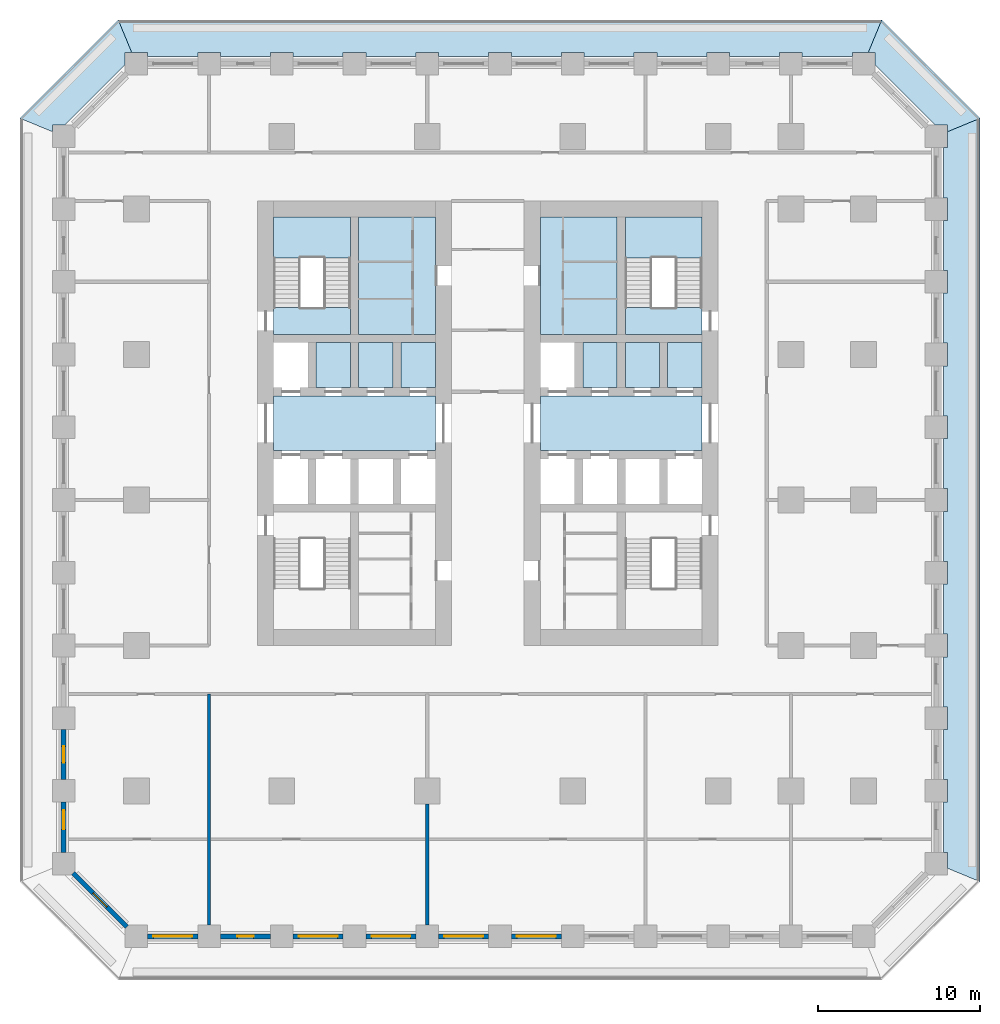
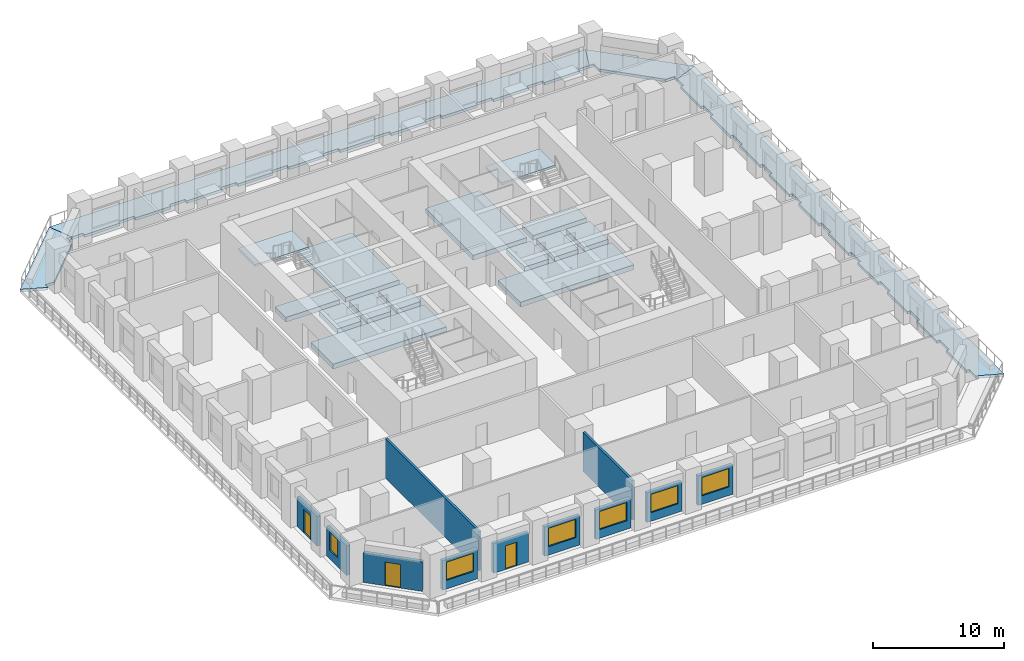
# One storey, part 2 of 11: 18 slabs, 11 walls, 6 windows, 3 doors, 9 openings, 2 elements without a shape of their own.
"""IFC4 building model written with IfcOpenShell, lengths in metres."""

import ifcopenshell
import ifcopenshell.guid

model = None  # the IFC model being written
_history = None  # IfcOwnerHistory: only IFC2X3 demands one
_inside = {}  # id of a spatial element -> (the spatial element, [elements in it])
_under = {}  # id of a project, library or spatial element -> (it, [spatial elements below it])
_declared = {}  # id of a project -> (the project, [libraries it declares])
_typed = {}  # id of a type object -> (the type object, [elements of that type])
_made_of = {}  # id of a material, layer set ... -> (it, [elements and type objects made of it])


def new_model(schema):
    """Start an empty IFC model of exactly this schema.

    Asked for "IFC4X3", IfcOpenShell would pick the latest addendum, in which some entities
    have other attributes; the version numbers below select the first issue.
    IFC2X3 requires an IfcOwnerHistory on every rooted entity: one is made here for all.
    """
    global model, _history
    if schema == "IFC4X3":
        model = ifcopenshell.file(schema_version=(4, 3, 0, 0))
    else:
        model = ifcopenshell.file(schema=schema)
    _inside.clear()
    _under.clear()
    _declared.clear()
    _typed.clear()
    _made_of.clear()
    _history = None
    if model.schema == "IFC2X3":
        org = make("IfcOrganization", Name="unknown")
        user = make(
            "IfcPersonAndOrganization",
            ThePerson=make("IfcPerson", FamilyName="unknown"),
            TheOrganization=org,
        )
        app = make(
            "IfcApplication",
            ApplicationDeveloper=org,
            Version="unknown",
            ApplicationFullName="unknown",
            ApplicationIdentifier="unknown",
        )
        _history = make(
            "IfcOwnerHistory",
            OwningUser=user,
            OwningApplication=app,
            ChangeAction="ADDED",
            CreationDate=0,
        )
    return model


def make(cls, **values):
    """One entity of the class cls with the attributes given. An attribute that is None is left unset."""
    return model.create_entity(
        cls, **{name: value for name, value in values.items() if value is not None}
    )


def rooted(cls, **values):
    """An entity with a GlobalId (a new one), such as an element, a storey or a relation."""
    return make(cls, GlobalId=ifcopenshell.guid.new(), OwnerHistory=_history, **values)


def si_unit(unit_type, name, prefix=None):
    """IfcSIUnit, for example si_unit("LENGTHUNIT", "METRE", prefix="MILLI")."""
    return make("IfcSIUnit", UnitType=unit_type, Prefix=prefix, Name=name)


def assignment(units):
    """IfcUnitAssignment: the units of a project."""
    return None if units is None else make("IfcUnitAssignment", Units=units)


def point(xyz):
    """IfcCartesianPoint."""
    return None if xyz is None else make("IfcCartesianPoint", Coordinates=xyz)


def direction(xyz):
    """IfcDirection."""
    return None if xyz is None else make("IfcDirection", DirectionRatios=xyz)


def frame(location, z_axis=None, x_axis=None):
    """IfcAxis2Placement3D, a coordinate frame: its origin and axes. An axis left out is left unset."""
    return make(
        "IfcAxis2Placement3D",
        Location=point(location),
        Axis=direction(z_axis),
        RefDirection=direction(x_axis),
    )


def frame_2d(location, x_axis=None):
    """IfcAxis2Placement2D, a coordinate frame in the plane: its origin and x axis."""
    return make(
        "IfcAxis2Placement2D", Location=point(location), RefDirection=direction(x_axis)
    )


def origin():
    """The frame at (0, 0, 0) with its axes left unset."""
    return frame((0.0, 0.0, 0.0))


def place(relative_to, where):
    """IfcLocalPlacement: puts the frame where relative to a parent placement (None: the world)."""
    return make(
        "IfcLocalPlacement", PlacementRelTo=relative_to, RelativePlacement=where
    )


def context(
    kind, dimensions, precision=None, world=None, true_north=None, identifier=None
):
    """IfcGeometricRepresentationContext, for example the 3D "Model" context."""
    return make(
        "IfcGeometricRepresentationContext",
        ContextIdentifier=identifier,
        ContextType=kind,
        CoordinateSpaceDimension=dimensions,
        Precision=precision,
        WorldCoordinateSystem=world,
        TrueNorth=true_north,
    )


def subcontext(parent, identifier, kind, view, scale=None):
    """IfcGeometricRepresentationSubContext, for example "Body" below "Model"."""
    return make(
        "IfcGeometricRepresentationSubContext",
        ContextIdentifier=identifier,
        ContextType=kind,
        ParentContext=parent,
        TargetScale=scale,
        TargetView=view,
    )


def project(units=None, contexts=None):
    """IfcProject with its units and contexts."""
    return rooted(
        "IfcProject",
        Name="project",
        RepresentationContexts=contexts,
        UnitsInContext=assignment(units),
    )


def spatial(cls, under=None, at=None, **own):
    """A site, building, storey or space (cls), placed at a placement, below another one or the project."""
    s = rooted(cls, ObjectPlacement=at, **own)
    if under is not None:
        _under.setdefault(under.id(), (under, []))[1].append(s)
    return s


def polyline(points):
    """IfcPolyline through the points."""
    return make("IfcPolyline", Points=[point(p) for p in points])


def profile(cls, at=None, kind="AREA", **sizes):
    """A parametric profile (cls). Its sizes go by their IFC names, for example OverallWidth=200.0."""
    return make(cls, ProfileType=kind, Position=at, **sizes)


def rectangle(**sizes):
    """IfcRectangleProfileDef."""
    return profile("IfcRectangleProfileDef", **sizes)


def outline(outer, holes=None, kind="AREA"):
    """IfcArbitraryClosedProfileDef: a profile drawn as a closed curve; with holes, ...WithVoids."""
    if holes is None:
        return make("IfcArbitraryClosedProfileDef", ProfileType=kind, OuterCurve=outer)
    return make(
        "IfcArbitraryProfileDefWithVoids",
        ProfileType=kind,
        OuterCurve=outer,
        InnerCurves=holes,
    )


def extrude(swept, where, along, depth):
    """IfcExtrudedAreaSolid: the profile swept, set in the frame where, extruded along a direction by depth."""
    return make(
        "IfcExtrudedAreaSolid",
        SweptArea=swept,
        Position=where,
        ExtrudedDirection=direction(along),
        Depth=depth,
    )


def shape(context_of_items, identifier, shape_type, items):
    """IfcShapeRepresentation: the items that make up one representation, for example the "Body"."""
    return make(
        "IfcShapeRepresentation",
        ContextOfItems=context_of_items,
        RepresentationIdentifier=identifier,
        RepresentationType=shape_type,
        Items=items,
    )


def material(Name=None, Category=None):
    """IfcMaterial."""
    return make("IfcMaterial", Name=Name, Category=Category)


def layer(
    of_material, thickness, ventilated=None, Name=None, Category=None, Priority=None
):
    """IfcMaterialLayer: one layer of a wall or slab, of a material (None: an air gap)."""
    return make(
        "IfcMaterialLayer",
        Material=of_material,
        LayerThickness=thickness,
        IsVentilated=ventilated,
        Name=Name,
        Category=Category,
        Priority=Priority,
    )


def layer_set(layers, Name=None):
    """IfcMaterialLayerSet."""
    return make("IfcMaterialLayerSet", MaterialLayers=layers, LayerSetName=Name)


def made_of(thing, what):
    """Note that an element or type object is made of a material, layer set ...; save() writes the relation."""
    if what is not None:
        _made_of.setdefault(what.id(), (what, []))[1].append(thing)
    return thing


def type_object(cls, material=None, **own):
    """A type object (cls), such as IfcWallType, which elements share."""
    return made_of(rooted(cls, **own), material)


def element(
    cls,
    number,
    at=None,
    inside=None,
    cuts=None,
    type_object=None,
    material=None,
    context=None,
    identifier="Body",
    shape_type=None,
    held_by="IfcProductDefinitionShape",
    body=None,
    shapes=None,
    **own,
):
    """One element of the class cls, such as IfcWall. Its Tag is "e" and its number.

    at: its placement. inside: the storey or other place that contains it. cuts: it is an
    opening in that element (IfcRelVoidsElement). A single representation is given by context,
    identifier, shape_type and body (its items); several are given by shapes. held_by: the class
    of the entity that holds the representations. save() writes the other relations.
    """
    e = rooted(cls, Tag="e%d" % number, ObjectPlacement=at, **own)
    if body is not None:
        shapes = [shape(context, identifier, shape_type, body)]
    if shapes is not None:
        e.Representation = make(held_by, Representations=shapes)
    if inside is not None:
        _inside.setdefault(inside.id(), (inside, []))[1].append(e)
    if cuts is not None:
        rooted(
            "IfcRelVoidsElement", RelatingBuildingElement=cuts, RelatedOpeningElement=e
        )
    if type_object is not None:
        _typed.setdefault(type_object.id(), (type_object, []))[1].append(e)
    return made_of(e, material)


def fill(opening, filler):
    """IfcRelFillsElement: the door or window that sits in an opening."""
    return rooted(
        "IfcRelFillsElement",
        RelatingOpeningElement=opening,
        RelatedBuildingElement=filler,
    )


def aggregate(whole, parts):
    """IfcRelAggregates: a whole, such as a stair, and the parts it consists of."""
    return rooted("IfcRelAggregates", RelatingObject=whole, RelatedObjects=parts)


def save(model, path):
    """Write the relations noted so far, then the file.

    IfcRelAggregates (storeys below a building ...), IfcRelContainedInSpatialStructure (elements
    in a storey), IfcRelDefinesByType, IfcRelAssociatesMaterial and IfcRelDeclares: one each for
    every whole, place, type object, material and project.
    """
    for whole, parts in _under.values():
        aggregate(whole, parts)
    for where, things in _inside.values():
        rooted(
            "IfcRelContainedInSpatialStructure",
            RelatedElements=things,
            RelatingStructure=where,
        )
    for kind, things in _typed.values():
        rooted("IfcRelDefinesByType", RelatedObjects=things, RelatingType=kind)
    for what, things in _made_of.values():
        rooted("IfcRelAssociatesMaterial", RelatedObjects=things, RelatingMaterial=what)
    for by, libraries in _declared.values():
        rooted("IfcRelDeclares", RelatingContext=by, RelatedDefinitions=libraries)
    model.write(path)


model = new_model("IFC4")

# Units and contexts
model_context = context("Model", 3, precision=1e-05, world=origin(), true_north=direction((0.0, 1.0)))
body_context = subcontext(model_context, "Body", "Model", "MODEL_VIEW")
ifc_project = project(units=[si_unit("LENGTHUNIT", "METRE"), si_unit("AREAUNIT", "SQUARE_METRE"), si_unit("VOLUMEUNIT", "CUBIC_METRE"), si_unit("PLANEANGLEUNIT", "RADIAN"), si_unit("MASSUNIT", "GRAM", prefix="KILO")], contexts=[model_context])

# Site, building, storey
site_placement = place(None, origin())
site = spatial("IfcSite", under=ifc_project, at=site_placement, CompositionType="ELEMENT")
building_placement = place(site_placement, origin())
building = spatial("IfcBuilding", under=site, at=building_placement, Name="Corbel Stack Research Tower", CompositionType="ELEMENT")
storey_placement = place(building_placement, frame((0.0, 0.0, 54.199951171875)))
storey = spatial("IfcBuildingStorey", under=building, at=storey_placement, Name="L12", CompositionType="ELEMENT", Elevation=54.199951171875)

# Slabs
ifc_material_1 = material(Name="Concrete C45/55", Category="concrete")
ifc_layer_1 = layer(ifc_material_1, 0.25)
ifc_layer_set_1 = layer_set([ifc_layer_1], Name="Concrete C45/55")
slab_type_1 = type_object("IfcSlabType", Name="PT balcony slab 250 C45/55", PredefinedType="FLOOR", material=ifc_layer_set_1)
slab_1_placement = place(storey_placement, frame((0.0, 0.0, -0.25)))
element("IfcSlab", 1, at=slab_1_placement, inside=storey, type_object=slab_type_1, Name="Loggia slab L12 E", PredefinedType="FLOOR", context=body_context, shape_type="SweptSolid", body=[
    extrude(outline(polyline([(32.199951171875, 22.789794921875), (32.199951171875, 21.800048828125), (31.949951171875, 21.800048828125), (31.949951171875, 18.699951171875), (32.199951171875, 18.699951171875), (32.199951171875, 17.300048828125), (31.949951171875, 17.300048828125), (31.949951171875, 14.199951171875), (32.199951171875, 14.199951171875), (32.199951171875, 12.800048828125), (31.949951171875, 12.800048828125), (31.949951171875, 9.699951171875), (32.199951171875, 9.699951171875), (32.199951171875, 8.300048828125), (31.949951171875, 8.300048828125), (31.949951171875, 5.199951171875), (32.199951171875, 5.199951171875), (32.199951171875, 3.800048828125), (31.949951171875, 3.800048828125), (31.949951171875, 0.699951171875), (32.199951171875, 0.699951171875), (32.199951171875, -0.699951171875), (31.949951171875, -0.699951171875), (31.949951171875, -3.800048828125), (32.199951171875, -3.800048828125), (32.199951171875, -5.199951171875), (31.949951171875, -5.199951171875), (31.949951171875, -8.300048828125), (32.199951171875, -8.300048828125), (32.199951171875, -9.699951171875), (31.949951171875, -9.699951171875), (31.949951171875, -12.800048828125), (32.199951171875, -12.800048828125), (32.199951171875, -14.199951171875), (31.949951171875, -14.199951171875), (31.949951171875, -17.300048828125), (32.199951171875, -17.300048828125), (32.199951171875, -18.699951171875), (31.949951171875, -18.699951171875), (31.949951171875, -21.800048828125), (32.199951171875, -21.800048828125), (32.199951171875, -22.789794921875), (34.199951171875, -23.618408203125), (34.199951171875, 23.618408203125), (32.199951171875, 22.789794921875)])), origin(), (0.0, 0.0, 1.0), 0.25),
])
slab_2_placement = place(storey_placement, frame((0.0, 0.0, -0.25)))
element("IfcSlab", 2, at=slab_2_placement, inside=storey, type_object=slab_type_1, Name="Loggia slab L12 NE", PredefinedType="FLOOR", context=body_context, shape_type="SweptSolid", body=[
    extrude(outline(polyline([(27.289794921875, 27.699951171875), (27.699951171875, 27.699951171875), (27.699951171875, 26.936279296875), (31.436279296875, 23.199951171875), (32.199951171875, 23.199951171875), (32.199951171875, 22.789794921875), (34.199951171875, 23.618408203125), (28.118408203125, 29.699951171875), (27.289794921875, 27.699951171875)])), origin(), (0.0, 0.0, 1.0), 0.25),
])
slab_3_placement = place(storey_placement, frame((0.0, 0.0, -0.25)))
element("IfcSlab", 3, at=slab_3_placement, inside=storey, type_object=slab_type_1, Name="Loggia slab L12 N", PredefinedType="FLOOR", context=body_context, shape_type="SweptSolid", body=[
    extrude(outline(polyline([(-18.289794921875, 27.699951171875), (-17.300048828125, 27.699951171875), (-17.300048828125, 27.449951171875), (-14.199951171875, 27.449951171875), (-14.199951171875, 27.699951171875), (-12.800048828125, 27.699951171875), (-12.800048828125, 27.449951171875), (-9.699951171875, 27.449951171875), (-9.699951171875, 27.699951171875), (-8.300048828125, 27.699951171875), (-8.300048828125, 27.449951171875), (-5.199951171875, 27.449951171875), (-5.199951171875, 27.699951171875), (-3.800048828125, 27.699951171875), (-3.800048828125, 27.449951171875), (-0.699951171875, 27.449951171875), (-0.699951171875, 27.699951171875), (0.699951171875, 27.699951171875), (0.699951171875, 27.449951171875), (3.800048828125, 27.449951171875), (3.800048828125, 27.699951171875), (5.199951171875, 27.699951171875), (5.199951171875, 27.449951171875), (8.300048828125, 27.449951171875), (8.300048828125, 27.699951171875), (9.699951171875, 27.699951171875), (9.699951171875, 27.449951171875), (12.800048828125, 27.449951171875), (12.800048828125, 27.699951171875), (14.199951171875, 27.699951171875), (14.199951171875, 27.449951171875), (17.300048828125, 27.449951171875), (17.300048828125, 27.699951171875), (18.699951171875, 27.699951171875), (18.699951171875, 27.449951171875), (21.800048828125, 27.449951171875), (21.800048828125, 27.699951171875), (23.199951171875, 27.699951171875), (23.199951171875, 27.449951171875), (26.300048828125, 27.449951171875), (26.300048828125, 27.699951171875), (27.289794921875, 27.699951171875), (28.118408203125, 29.699951171875), (-19.118408203125, 29.699951171875), (-18.289794921875, 27.699951171875)])), origin(), (0.0, 0.0, 1.0), 0.25),
])
slab_4_placement = place(storey_placement, frame((0.0, 0.0, -0.25)))
element("IfcSlab", 4, at=slab_4_placement, inside=storey, type_object=slab_type_1, Name="Loggia slab L12 NW", PredefinedType="FLOOR", context=body_context, shape_type="SweptSolid", body=[
    extrude(outline(polyline([(-23.199951171875, 22.789794921875), (-23.199951171875, 23.199951171875), (-22.436279296875, 23.199951171875), (-18.699951171875, 26.936279296875), (-18.699951171875, 27.699951171875), (-18.289794921875, 27.699951171875), (-19.118408203125, 29.699951171875), (-25.199951171875, 23.618408203125), (-23.199951171875, 22.789794921875)])), origin(), (0.0, 0.0, 1.0), 0.25),
])
ifc_material_2 = material(Name="Concrete C45/55", Category="concrete")
ifc_layer_2 = layer(ifc_material_2, 0.449951171875)
ifc_layer_set_2 = layer_set([ifc_layer_2], Name="Concrete C45/55")
slab_type_2 = type_object("IfcSlabType", Name="PT-450", PredefinedType="FLOOR", material=ifc_layer_set_2)
slab_5_placement = place(storey_placement, frame((0.0, 0.0, -0.449951171875)))
element("IfcSlab", 5, at=slab_5_placement, inside=storey, type_object=slab_type_2, Name="West core floor L12", PredefinedType="FLOOR", context=body_context, shape_type="SweptSolid", body=[
    extrude(outline(polyline([(-9.5, 6.449951171875), (-9.5, 3.050048828125), (0.5, 3.050048828125), (0.5, 6.449951171875), (-9.5, 6.449951171875)])), origin(), (0.0, 0.0, 1.0), 0.449951171875),
])
slab_6_placement = place(storey_placement, frame((0.0, 0.0, -0.449951171875)))
element("IfcSlab", 6, at=slab_6_placement, inside=storey, type_object=slab_type_2, Name="West core floor L12", PredefinedType="FLOOR", context=body_context, shape_type="SweptSolid", body=[
    extrude(outline(polyline([(-6.875, 6.949951171875), (-4.75, 6.949951171875), (-4.75, 9.75), (-6.875, 9.75), (-6.875, 6.949951171875)])), origin(), (0.0, 0.0, 1.0), 0.449951171875),
])
slab_7_placement = place(storey_placement, frame((0.0, 0.0, -0.449951171875)))
element("IfcSlab", 7, at=slab_7_placement, inside=storey, type_object=slab_type_2, Name="West core floor L12", PredefinedType="FLOOR", context=body_context, shape_type="SweptSolid", body=[
    extrude(outline(polyline([(-2.125, 6.949951171875), (-2.125, 9.75), (-4.25, 9.75), (-4.25, 6.949951171875), (-2.125, 6.949951171875)])), origin(), (0.0, 0.0, 1.0), 0.449951171875),
])
slab_8_placement = place(storey_placement, frame((0.0, 0.0, -0.449951171875)))
element("IfcSlab", 8, at=slab_8_placement, inside=storey, type_object=slab_type_2, Name="West core floor L12", PredefinedType="FLOOR", context=body_context, shape_type="SweptSolid", body=[
    extrude(outline(polyline([(-4.25, 17.5), (-4.25, 10.25), (0.5, 10.25), (0.5, 17.5), (-4.25, 17.5)])), origin(), (0.0, 0.0, 1.0), 0.449951171875),
])
slab_9_placement = place(storey_placement, frame((0.0, 0.0, -0.449951171875)))
element("IfcSlab", 9, at=slab_9_placement, inside=storey, type_object=slab_type_2, Name="West core floor L12", PredefinedType="FLOOR", context=body_context, shape_type="SweptSolid", body=[
    extrude(outline(polyline([(0.5, 6.949951171875), (0.5, 9.75), (-1.625, 9.75), (-1.625, 6.949951171875), (0.5, 6.949951171875)])), origin(), (0.0, 0.0, 1.0), 0.449951171875),
])
slab_10_placement = place(storey_placement, frame((0.0, 0.0, -0.449951171875)))
element("IfcSlab", 10, at=slab_10_placement, inside=storey, type_object=slab_type_2, Name="East core floor L12", PredefinedType="FLOOR", context=body_context, shape_type="SweptSolid", body=[
    extrude(outline(polyline([(7.0, 6.449951171875), (7.0, 3.050048828125), (17.0, 3.050048828125), (17.0, 6.449951171875), (7.0, 6.449951171875)])), origin(), (0.0, 0.0, 1.0), 0.449951171875),
])
slab_11_placement = place(storey_placement, frame((0.0, 0.0, -0.449951171875)))
element("IfcSlab", 11, at=slab_11_placement, inside=storey, type_object=slab_type_2, Name="East core floor L12", PredefinedType="FLOOR", context=body_context, shape_type="SweptSolid", body=[
    extrude(outline(polyline([(7.0, 17.5), (7.0, 10.25), (11.75, 10.25), (11.75, 17.5), (7.0, 17.5)])), origin(), (0.0, 0.0, 1.0), 0.449951171875),
])
slab_12_placement = place(storey_placement, frame((0.0, 0.0, -0.449951171875)))
element("IfcSlab", 12, at=slab_12_placement, inside=storey, type_object=slab_type_2, Name="East core floor L12", PredefinedType="FLOOR", context=body_context, shape_type="SweptSolid", body=[
    extrude(outline(polyline([(9.625, 6.949951171875), (11.75, 6.949951171875), (11.75, 9.75), (9.625, 9.75), (9.625, 6.949951171875)])), origin(), (0.0, 0.0, 1.0), 0.449951171875),
])
slab_13_placement = place(storey_placement, frame((0.0, 0.0, -0.449951171875)))
element("IfcSlab", 13, at=slab_13_placement, inside=storey, type_object=slab_type_2, Name="East core floor L12", PredefinedType="FLOOR", context=body_context, shape_type="SweptSolid", body=[
    extrude(outline(polyline([(14.375, 6.949951171875), (14.375, 9.75), (12.25, 9.75), (12.25, 6.949951171875), (14.375, 6.949951171875)])), origin(), (0.0, 0.0, 1.0), 0.449951171875),
])
slab_14_placement = place(storey_placement, frame((0.0, 0.0, -0.449951171875)))
element("IfcSlab", 14, at=slab_14_placement, inside=storey, type_object=slab_type_2, Name="East core floor L12", PredefinedType="FLOOR", context=body_context, shape_type="SweptSolid", body=[
    extrude(outline(polyline([(17.0, 6.949951171875), (17.0, 9.75), (14.875, 9.75), (14.875, 6.949951171875), (17.0, 6.949951171875)])), origin(), (0.0, 0.0, 1.0), 0.449951171875),
])
slab_15_placement = place(storey_placement, frame((0.0, 0.0, -0.449951171875)))
element("IfcSlab", 15, at=slab_15_placement, inside=storey, type_object=slab_type_2, Name="Stair floor landing ST-W2", PredefinedType="FLOOR", context=body_context, shape_type="SweptSolid", body=[
    extrude(outline(polyline([(-9.5, 10.25), (-4.75, 10.25), (-4.75, 11.89990234375), (-9.5, 11.89990234375), (-9.5, 10.25)])), origin(), (0.0, 0.0, 1.0), 0.449951171875),
])
slab_16_placement = place(storey_placement, frame((0.0, 0.0, -0.449951171875)))
element("IfcSlab", 16, at=slab_16_placement, inside=storey, type_object=slab_type_2, Name="Stair floor landing ST-E2", PredefinedType="FLOOR", context=body_context, shape_type="SweptSolid", body=[
    extrude(outline(polyline([(12.25, 10.25), (17.0, 10.25), (17.0, 11.89990234375), (12.25, 11.89990234375), (12.25, 10.25)])), origin(), (0.0, 0.0, 1.0), 0.449951171875),
])

# Stair, slab
ifc_material_3 = material(Name="Concrete C40/50", Category="concrete")
stair_type = type_object("IfcStairType", Name="Exit stair 24 risers", PredefinedType="HALF_TURN_STAIR", material=ifc_material_3)
stair_1_placement = place(storey_placement, origin())
stair_1 = element("IfcStair", 17, at=stair_1_placement, inside=storey, type_object=stair_type, Name="L12 Exit stair ST-W2", PredefinedType="HALF_TURN_STAIR")
ifc_material_4 = material(Name="Concrete C40/50", Category="concrete")
ifc_layer_3 = layer(ifc_material_4, 0.199951171875)
ifc_layer_set_3 = layer_set([ifc_layer_3], Name="Concrete C40/50")
slab_type_3 = type_object("IfcSlabType", Name="Stair landing 200 C40/50", PredefinedType="LANDING", material=ifc_layer_set_3)
slab_17_placement = place(storey_placement, frame((0.0, 0.0, 1.85009765625)))
slab_17 = element("IfcSlab", 18, at=slab_17_placement, type_object=slab_type_3, Name="ST-W2 landing 1", PredefinedType="LANDING", context=body_context, shape_type="SweptSolid", body=[
    extrude(outline(polyline([(-9.5, 14.97998046875), (-9.5, 17.5), (-4.75, 17.5), (-4.75, 14.97998046875), (-9.5, 14.97998046875)])), origin(), (0.0, 0.0, 1.0), 0.199951171875),
])
aggregate(stair_1, [slab_17])

stair_2_placement = place(storey_placement, origin())
stair_2 = element("IfcStair", 19, at=stair_2_placement, inside=storey, type_object=stair_type, Name="L12 Exit stair ST-E2", PredefinedType="HALF_TURN_STAIR")
slab_18_placement = place(storey_placement, frame((0.0, 0.0, 1.85009765625)))
slab_18 = element("IfcSlab", 20, at=slab_18_placement, type_object=slab_type_3, Name="ST-E2 landing 1", PredefinedType="LANDING", context=body_context, shape_type="SweptSolid", body=[
    extrude(outline(polyline([(12.25, 14.97998046875), (12.25, 17.5), (17.0, 17.5), (17.0, 14.97998046875), (12.25, 14.97998046875)])), origin(), (0.0, 0.0, 1.0), 0.199951171875),
])
aggregate(stair_2, [slab_18])

# Walls
ifc_material_5 = material(Name="Fire-rated gypsum board partition on steel studs", Category="steel")
ifc_layer_4 = layer(ifc_material_5, 0.199951171875)
ifc_layer_set_4 = layer_set([ifc_layer_4], Name="Fire-rated gypsum board partition on steel studs")
wall_type_1 = type_object("IfcWallType", Name="Fire-rated partition 200 EI 60", PredefinedType="PARTITIONING", material=ifc_layer_set_4)
wall_1_placement = place(storey_placement, frame((-13.5, -26.300048828125, 0.0), z_axis=(0.0, 0.0, 1.0), x_axis=(0.0, 1.0, 0.0)))
element("IfcWall", 21, at=wall_1_placement, inside=storey, type_object=wall_type_1, Name="Partition L12-001", PredefinedType="PARTITIONING", context=body_context, shape_type="SweptSolid", body=[
    extrude(rectangle(XDim=14.300048828125, YDim=0.199951171875, at=frame_2d((7.14990234375, 0.0))), origin(), (0.0, 0.0, 1.0), 3.650146484375),
])
wall_2_placement = place(storey_placement, frame((0.0, -26.300048828125, 0.0), z_axis=(0.0, 0.0, 1.0), x_axis=(0.0, 1.0, 0.0)))
element("IfcWall", 22, at=wall_2_placement, inside=storey, type_object=wall_type_1, Name="Partition L12-004", PredefinedType="PARTITIONING", context=body_context, shape_type="SweptSolid", body=[
    extrude(rectangle(XDim=7.5, YDim=0.199951171875, at=frame_2d((3.75, 0.0))), origin(), (0.0, 0.0, 1.0), 3.650146484375),
])

# Wall, opening, window
ifc_material_6 = material(Name="Concrete C45/55", Category="concrete")
ifc_layer_5 = layer(ifc_material_6, 0.300048828125)
ifc_layer_set_5 = layer_set([ifc_layer_5], Name="Concrete C45/55")
wall_type_2 = type_object("IfcWallType", Name="Terracotta-faced concrete wall 300", PredefinedType="SOLIDWALL", material=ifc_layer_set_5)
wall_3_placement = place(storey_placement, frame((-14.199951171875, -27.0, 0.0), z_axis=(0.0, 0.0, 1.0), x_axis=(-1.0, 0.0, 0.0)))
wall_3 = element("IfcWall", 23, at=wall_3_placement, inside=storey, type_object=wall_type_2, Name="Facade wall L12 S01", PredefinedType="SOLIDWALL", context=body_context, shape_type="SweptSolid", body=[
    extrude(rectangle(XDim=3.10009765625, YDim=0.300048828125, at=frame_2d((1.550048828125, 0.0))), origin(), (0.0, 0.0, 1.0), 2.75),
])
opening_1_placement = place(wall_3_placement, frame((0.35009765625, 0.0, 0.800048828125)))
opening_1 = element("IfcOpeningElement", 24, at=opening_1_placement, cuts=wall_3, Name="Opening W1", PredefinedType="OPENING", context=body_context, shape_type="SweptSolid", body=[
    extrude(rectangle(XDim=2.39990234375, YDim=1.699951171875, at=frame_2d((1.199951171875, 0.85009765625))), frame((0.0, 0.159912109375, 0.0), z_axis=(0.0, -1.0, 0.0), x_axis=(1.0, 0.0, 0.0)), (0.0, 0.0, 1.0), 0.320068359375),
])
ifc_material_7 = material(Name="Aluminium frame, clear double glazing", Category="aluminium")
window_type_1 = type_object("IfcWindowType", Name="Window W1 2400 x 1700", PartitioningType="SINGLE_PANEL", PredefinedType="WINDOW", material=ifc_material_7)
window_1_placement = place(opening_1_placement, origin())
window_1 = element("IfcWindow", 25, at=window_1_placement, inside=storey, type_object=window_type_1, Name="Window W1 L12 S01", OverallHeight=1.699951171875, OverallWidth=2.39990234375, PartitioningType="SINGLE_PANEL", PredefinedType="WINDOW", context=body_context, shape_type="SweptSolid", body=[
    extrude(rectangle(XDim=2.39990234375, YDim=1.699951171875, at=frame_2d((1.199951171875, 0.85009765625))), frame((0.0, 0.030029296875, 0.0), z_axis=(0.0, -1.0, 0.0), x_axis=(1.0, 0.0, 0.0)), (0.0, 0.0, 1.0), 0.06005859375),
])
fill(opening_1, window_1)

# Wall, opening, door
wall_4_placement = place(storey_placement, frame((-9.699951171875, -27.0, 0.0), z_axis=(0.0, 0.0, 1.0), x_axis=(-1.0, 0.0, 0.0)))
wall_4 = element("IfcWall", 26, at=wall_4_placement, inside=storey, type_object=wall_type_2, Name="Facade wall L12 S02", PredefinedType="SOLIDWALL", context=body_context, shape_type="SweptSolid", body=[
    extrude(rectangle(XDim=3.10009765625, YDim=0.300048828125, at=frame_2d((1.550048828125, 0.0))), origin(), (0.0, 0.0, 1.0), 2.75),
])
opening_2_placement = place(wall_4_placement, frame((1.050048828125, 0.0, 0.0)))
opening_2 = element("IfcOpeningElement", 27, at=opening_2_placement, cuts=wall_4, Name="Opening L12-B01", PredefinedType="OPENING", context=body_context, shape_type="SweptSolid", body=[
    extrude(rectangle(XDim=1.0, YDim=2.199951171875, at=frame_2d((0.5, 1.10009765625))), frame((0.0, 0.159912109375, 0.0), z_axis=(0.0, -1.0, 0.0), x_axis=(1.0, 0.0, 0.0)), (0.0, 0.0, 1.0), 0.320068359375),
])
ifc_material_8 = material(Name="Aluminium frame, clear double glazing", Category="aluminium")
door_type_1 = type_object("IfcDoorType", Name="Balcony door BD1 1000 x 2200", OperationType="NOTDEFINED", PredefinedType="DOOR", material=ifc_material_8)
door_1_placement = place(opening_2_placement, origin())
door_1 = element("IfcDoor", 28, at=door_1_placement, inside=storey, type_object=door_type_1, Name="Balcony door L12-B01", OperationType="SINGLE_SWING_RIGHT", OverallHeight=2.199951171875, OverallWidth=1.0, PredefinedType="DOOR", context=body_context, shape_type="SweptSolid", body=[
    extrude(rectangle(XDim=1.0, YDim=2.199951171875, at=frame_2d((0.5, 1.10009765625))), frame((0.0, 0.02490234375, 0.0), z_axis=(0.0, -1.0, 0.0), x_axis=(1.0, 0.0, 0.0)), (0.0, 0.0, 1.0), 0.050048828125),
])
fill(opening_2, door_1)

# Wall, opening, window
wall_5_placement = place(storey_placement, frame((-5.199951171875, -27.0, 0.0), z_axis=(0.0, 0.0, 1.0), x_axis=(-1.0, 0.0, 0.0)))
wall_5 = element("IfcWall", 29, at=wall_5_placement, inside=storey, type_object=wall_type_2, Name="Facade wall L12 S03", PredefinedType="SOLIDWALL", context=body_context, shape_type="SweptSolid", body=[
    extrude(rectangle(XDim=3.10009765625, YDim=0.300048828125, at=frame_2d((1.550048828125, 0.0))), origin(), (0.0, 0.0, 1.0), 2.75),
])
opening_3_placement = place(wall_5_placement, frame((0.35009765625, 0.0, 0.800048828125)))
opening_3 = element("IfcOpeningElement", 30, at=opening_3_placement, cuts=wall_5, Name="Opening W1", PredefinedType="OPENING", context=body_context, shape_type="SweptSolid", body=[
    extrude(rectangle(XDim=2.39990234375, YDim=1.699951171875, at=frame_2d((1.199951171875, 0.85009765625))), frame((0.0, 0.159912109375, 0.0), z_axis=(0.0, -1.0, 0.0), x_axis=(1.0, 0.0, 0.0)), (0.0, 0.0, 1.0), 0.320068359375),
])
window_2_placement = place(opening_3_placement, origin())
window_2 = element("IfcWindow", 31, at=window_2_placement, inside=storey, type_object=window_type_1, Name="Window W1 L12 S03", OverallHeight=1.699951171875, OverallWidth=2.39990234375, PartitioningType="SINGLE_PANEL", PredefinedType="WINDOW", context=body_context, shape_type="SweptSolid", body=[
    extrude(rectangle(XDim=2.39990234375, YDim=1.699951171875, at=frame_2d((1.199951171875, 0.85009765625))), frame((0.0, 0.030029296875, 0.0), z_axis=(0.0, -1.0, 0.0), x_axis=(1.0, 0.0, 0.0)), (0.0, 0.0, 1.0), 0.06005859375),
])
fill(opening_3, window_2)

wall_6_placement = place(storey_placement, frame((-0.699951171875, -27.0, 0.0), z_axis=(0.0, 0.0, 1.0), x_axis=(-1.0, 0.0, 0.0)))
wall_6 = element("IfcWall", 32, at=wall_6_placement, inside=storey, type_object=wall_type_2, Name="Facade wall L12 S04", PredefinedType="SOLIDWALL", context=body_context, shape_type="SweptSolid", body=[
    extrude(rectangle(XDim=3.10009765625, YDim=0.300048828125, at=frame_2d((1.550048828125, 0.0))), origin(), (0.0, 0.0, 1.0), 2.75),
])
opening_4_placement = place(wall_6_placement, frame((0.35009765625, 0.0, 0.800048828125)))
opening_4 = element("IfcOpeningElement", 33, at=opening_4_placement, cuts=wall_6, Name="Opening W1", PredefinedType="OPENING", context=body_context, shape_type="SweptSolid", body=[
    extrude(rectangle(XDim=2.39990234375, YDim=1.699951171875, at=frame_2d((1.199951171875, 0.85009765625))), frame((0.0, 0.159912109375, 0.0), z_axis=(0.0, -1.0, 0.0), x_axis=(1.0, 0.0, 0.0)), (0.0, 0.0, 1.0), 0.320068359375),
])
window_3_placement = place(opening_4_placement, origin())
window_3 = element("IfcWindow", 34, at=window_3_placement, inside=storey, type_object=window_type_1, Name="Window W1 L12 S04", OverallHeight=1.699951171875, OverallWidth=2.39990234375, PartitioningType="SINGLE_PANEL", PredefinedType="WINDOW", context=body_context, shape_type="SweptSolid", body=[
    extrude(rectangle(XDim=2.39990234375, YDim=1.699951171875, at=frame_2d((1.199951171875, 0.85009765625))), frame((0.0, 0.030029296875, 0.0), z_axis=(0.0, -1.0, 0.0), x_axis=(1.0, 0.0, 0.0)), (0.0, 0.0, 1.0), 0.06005859375),
])
fill(opening_4, window_3)

wall_7_placement = place(storey_placement, frame((3.800048828125, -27.0, 0.0), z_axis=(0.0, 0.0, 1.0), x_axis=(-1.0, 0.0, 0.0)))
wall_7 = element("IfcWall", 35, at=wall_7_placement, inside=storey, type_object=wall_type_2, Name="Facade wall L12 S05", PredefinedType="SOLIDWALL", context=body_context, shape_type="SweptSolid", body=[
    extrude(rectangle(XDim=3.10009765625, YDim=0.300048828125, at=frame_2d((1.550048828125, 0.0))), origin(), (0.0, 0.0, 1.0), 2.75),
])
opening_5_placement = place(wall_7_placement, frame((0.35009765625, 0.0, 0.800048828125)))
opening_5 = element("IfcOpeningElement", 36, at=opening_5_placement, cuts=wall_7, Name="Opening W1", PredefinedType="OPENING", context=body_context, shape_type="SweptSolid", body=[
    extrude(rectangle(XDim=2.39990234375, YDim=1.699951171875, at=frame_2d((1.199951171875, 0.85009765625))), frame((0.0, 0.159912109375, 0.0), z_axis=(0.0, -1.0, 0.0), x_axis=(1.0, 0.0, 0.0)), (0.0, 0.0, 1.0), 0.320068359375),
])
window_4_placement = place(opening_5_placement, origin())
window_4 = element("IfcWindow", 37, at=window_4_placement, inside=storey, type_object=window_type_1, Name="Window W1 L12 S05", OverallHeight=1.699951171875, OverallWidth=2.39990234375, PartitioningType="SINGLE_PANEL", PredefinedType="WINDOW", context=body_context, shape_type="SweptSolid", body=[
    extrude(rectangle(XDim=2.39990234375, YDim=1.699951171875, at=frame_2d((1.199951171875, 0.85009765625))), frame((0.0, 0.030029296875, 0.0), z_axis=(0.0, -1.0, 0.0), x_axis=(1.0, 0.0, 0.0)), (0.0, 0.0, 1.0), 0.06005859375),
])
fill(opening_5, window_4)

wall_8_placement = place(storey_placement, frame((8.300048828125, -27.0, 0.0), z_axis=(0.0, 0.0, 1.0), x_axis=(-1.0, 0.0, 0.0)))
wall_8 = element("IfcWall", 38, at=wall_8_placement, inside=storey, type_object=wall_type_2, Name="Facade wall L12 S06", PredefinedType="SOLIDWALL", context=body_context, shape_type="SweptSolid", body=[
    extrude(rectangle(XDim=3.10009765625, YDim=0.300048828125, at=frame_2d((1.550048828125, 0.0))), origin(), (0.0, 0.0, 1.0), 2.75),
])
opening_6_placement = place(wall_8_placement, frame((0.35009765625, 0.0, 0.800048828125)))
opening_6 = element("IfcOpeningElement", 39, at=opening_6_placement, cuts=wall_8, Name="Opening W1", PredefinedType="OPENING", context=body_context, shape_type="SweptSolid", body=[
    extrude(rectangle(XDim=2.39990234375, YDim=1.699951171875, at=frame_2d((1.199951171875, 0.85009765625))), frame((0.0, 0.159912109375, 0.0), z_axis=(0.0, -1.0, 0.0), x_axis=(1.0, 0.0, 0.0)), (0.0, 0.0, 1.0), 0.320068359375),
])
window_5_placement = place(opening_6_placement, origin())
window_5 = element("IfcWindow", 40, at=window_5_placement, inside=storey, type_object=window_type_1, Name="Window W1 L12 S06", OverallHeight=1.699951171875, OverallWidth=2.39990234375, PartitioningType="SINGLE_PANEL", PredefinedType="WINDOW", context=body_context, shape_type="SweptSolid", body=[
    extrude(rectangle(XDim=2.39990234375, YDim=1.699951171875, at=frame_2d((1.199951171875, 0.85009765625))), frame((0.0, 0.030029296875, 0.0), z_axis=(0.0, -1.0, 0.0), x_axis=(1.0, 0.0, 0.0)), (0.0, 0.0, 1.0), 0.06005859375),
])
fill(opening_6, window_5)

# Wall, opening, door
wall_9_placement = place(storey_placement, frame((-22.5, -17.300048828125, 0.0), z_axis=(0.0, 0.0, 1.0), x_axis=(0.0, 1.0, 0.0)))
wall_9 = element("IfcWall", 41, at=wall_9_placement, inside=storey, type_object=wall_type_2, Name="Facade wall L12 W09", PredefinedType="SOLIDWALL", context=body_context, shape_type="SweptSolid", body=[
    extrude(rectangle(XDim=3.10009765625, YDim=0.300048828125, at=frame_2d((1.550048828125, 0.0))), origin(), (0.0, 0.0, 1.0), 2.75),
])
opening_7_placement = place(wall_9_placement, frame((1.050048828125, 0.0, 0.0)))
opening_7 = element("IfcOpeningElement", 42, at=opening_7_placement, cuts=wall_9, Name="Opening L12-B11", PredefinedType="OPENING", context=body_context, shape_type="SweptSolid", body=[
    extrude(rectangle(XDim=1.0, YDim=2.199951171875, at=frame_2d((0.5, 1.10009765625))), frame((0.0, 0.159912109375, 0.0), z_axis=(0.0, -1.0, 0.0), x_axis=(1.0, 0.0, 0.0)), (0.0, 0.0, 1.0), 0.320068359375),
])
door_2_placement = place(opening_7_placement, origin())
door_2 = element("IfcDoor", 43, at=door_2_placement, inside=storey, type_object=door_type_1, Name="Balcony door L12-B11", OperationType="SINGLE_SWING_LEFT", OverallHeight=2.199951171875, OverallWidth=1.0, PredefinedType="DOOR", context=body_context, shape_type="SweptSolid", body=[
    extrude(rectangle(XDim=1.0, YDim=2.199951171875, at=frame_2d((0.5, 1.10009765625))), frame((0.0, 0.02490234375, 0.0), z_axis=(0.0, -1.0, 0.0), x_axis=(1.0, 0.0, 0.0)), (0.0, 0.0, 1.0), 0.050048828125),
])
fill(opening_7, door_2)

# Wall, opening, window
wall_10_placement = place(storey_placement, frame((-22.5, -21.800048828125, 0.0), z_axis=(0.0, 0.0, 1.0), x_axis=(0.0, 1.0, 0.0)))
wall_10 = element("IfcWall", 44, at=wall_10_placement, inside=storey, type_object=wall_type_2, Name="Facade wall L12 W10", PredefinedType="SOLIDWALL", context=body_context, shape_type="SweptSolid", body=[
    extrude(rectangle(XDim=3.10009765625, YDim=0.300048828125, at=frame_2d((1.550048828125, 0.0))), origin(), (0.0, 0.0, 1.0), 2.75),
])
opening_8_placement = place(wall_10_placement, frame((1.41259765625, 0.0, 0.800048828125)))
opening_8 = element("IfcOpeningElement", 45, at=opening_8_placement, cuts=wall_10, Name="Opening W2", PredefinedType="OPENING", context=body_context, shape_type="SweptSolid", body=[
    extrude(rectangle(XDim=1.199951171875, YDim=1.699951171875, at=frame_2d((0.60009765625, 0.85009765625))), frame((0.0, 0.159912109375, 0.0), z_axis=(0.0, -1.0, 0.0), x_axis=(1.0, 0.0, 0.0)), (0.0, 0.0, 1.0), 0.320068359375),
])
ifc_material_9 = material(Name="Aluminium frame, clear double glazing", Category="aluminium")
window_type_2 = type_object("IfcWindowType", Name="Window W2 1200 x 1700", PartitioningType="SINGLE_PANEL", PredefinedType="WINDOW", material=ifc_material_9)
window_6_placement = place(opening_8_placement, origin())
window_6 = element("IfcWindow", 46, at=window_6_placement, inside=storey, type_object=window_type_2, Name="Window W2 L12 W10", OverallHeight=1.699951171875, OverallWidth=1.199951171875, PartitioningType="SINGLE_PANEL", PredefinedType="WINDOW", context=body_context, shape_type="SweptSolid", body=[
    extrude(rectangle(XDim=1.199951171875, YDim=1.699951171875, at=frame_2d((0.60009765625, 0.85009765625))), frame((0.0, 0.030029296875, 0.0), z_axis=(0.0, -1.0, 0.0), x_axis=(1.0, 0.0, 0.0)), (0.0, 0.0, 1.0), 0.06005859375),
])
fill(opening_8, window_6)

# Wall, opening, door
wall_11_placement = place(storey_placement, frame((-18.593994140625, -26.406005859375, 0.0), z_axis=(0.0, 0.0, 1.0), x_axis=(-0.707106781187, 0.707106781187, 0.0)))
wall_11 = element("IfcWall", 47, at=wall_11_placement, inside=storey, type_object=wall_type_2, Name="Facade wall L12 SW01", PredefinedType="SOLIDWALL", context=body_context, shape_type="SweptSolid", body=[
    extrude(rectangle(XDim=4.683837890625, YDim=0.300048828125, at=frame_2d((2.341796875, 0.0))), origin(), (0.0, 0.0, 1.0), 2.75),
])
opening_9_placement = place(wall_11_placement, frame((1.741943359375, 0.0, 0.0)))
opening_9 = element("IfcOpeningElement", 48, at=opening_9_placement, cuts=wall_11, Name="Opening L12-B12", PredefinedType="OPENING", context=body_context, shape_type="SweptSolid", body=[
    extrude(rectangle(XDim=1.199951171875, YDim=2.199951171875, at=frame_2d((0.60009765625, 1.10009765625))), frame((0.0, 0.159912109375, 0.0), z_axis=(0.0, -1.0, 0.0), x_axis=(1.0, 0.0, 0.0)), (0.0, 0.0, 1.0), 0.320068359375),
])
ifc_material_10 = material(Name="Aluminium frame, clear double glazing", Category="aluminium")
door_type_2 = type_object("IfcDoorType", Name="Balcony door BD2 1200 x 2200", OperationType="NOTDEFINED", PredefinedType="DOOR", material=ifc_material_10)
door_3_placement = place(opening_9_placement, origin())
door_3 = element("IfcDoor", 49, at=door_3_placement, inside=storey, type_object=door_type_2, Name="Balcony door L12-B12", OperationType="SINGLE_SWING_LEFT", OverallHeight=2.199951171875, OverallWidth=1.199951171875, PredefinedType="DOOR", context=body_context, shape_type="SweptSolid", body=[
    extrude(rectangle(XDim=1.199951171875, YDim=2.199951171875, at=frame_2d((0.60009765625, 1.10009765625))), frame((0.0, 0.02490234375, 0.0), z_axis=(0.0, -1.0, 0.0), x_axis=(1.0, 0.0, 0.0)), (0.0, 0.0, 1.0), 0.050048828125),
])
fill(opening_9, door_3)

save(model, "model.ifc")
